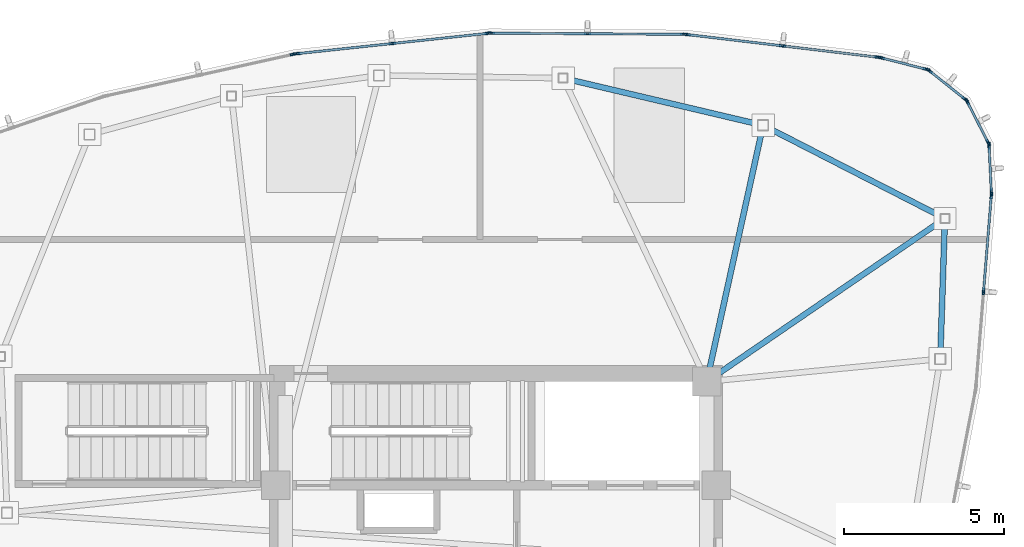
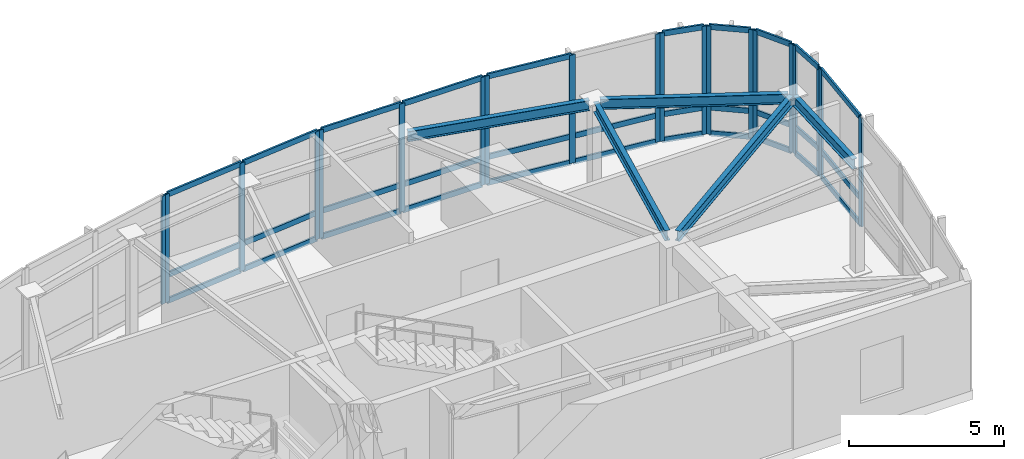
# One storey, part 7 of 15: 52 members, 5 beams, 9 elements without a shape of their own.
"""IFC4 building model written with IfcOpenShell, lengths in metres."""

from ifc_helpers import new_model, si_unit, direction, frame, origin, origin_2d, place, context, subcontext, project, spatial, hollow_rectangle, i_section, extrude, source, transform, mapped, material, layer, layer_set, material_profile, profile_set, type_object, type_shapes, element, aggregate, save


model = new_model("IFC4")

# Units and contexts
model_context = context("Model", 3, precision=1e-05, world=origin(), true_north=direction((0.0, 1.0)))
body_context = subcontext(model_context, "Body", "Model", "MODEL_VIEW")
ifc_project = project(units=[si_unit("LENGTHUNIT", "METRE"), si_unit("AREAUNIT", "SQUARE_METRE"), si_unit("VOLUMEUNIT", "CUBIC_METRE"), si_unit("PLANEANGLEUNIT", "RADIAN"), si_unit("MASSUNIT", "GRAM", prefix="KILO")], contexts=[model_context])

# Site, building, storey
site_placement = place(None, origin())
site = spatial("IfcSite", under=ifc_project, at=site_placement, CompositionType="ELEMENT")
building_placement = place(site_placement, origin())
building = spatial("IfcBuilding", under=site, at=building_placement, Name="Tavelor Broadcast Tower", CompositionType="ELEMENT")
storey_placement = place(building_placement, frame((0.0, 0.0, 341.300048828125)))
storey = spatial("IfcBuildingStorey", under=building, at=storey_placement, Name="L81", CompositionType="ELEMENT", Elevation=341.300048828125)

# Beams
ifc_material_1 = material(Name="Steel S355", Category="steel")
ifc_material_profile_1 = material_profile(ifc_material_1, i_section(OverallWidth=0.179931640625, OverallDepth=0.39990234375, WebThickness=0.008544921875, FlangeThickness=0.013427734375, at=origin_2d()), Name="IPE 400")
ifc_profile_set_1 = profile_set([ifc_material_profile_1], Name="Steel S355")
beam_type = type_object("IfcBeamType", Name="Crown Ring Spandrel Beam IPE400", PredefinedType="SPANDREL", material=ifc_profile_set_1)
beam_1_placement = place(storey_placement, frame((63.9169921875, 52.089111328125, 4.050048828125), z_axis=(0.033482656619, 0.99943929866, 0.0), x_axis=(-0.99943929866, 0.033482656619, 0.0)))
element("IfcBeam", 1, at=beam_1_placement, inside=storey, type_object=beam_type, Name="L81 Crown Peak A Ring Spandrel 5", PredefinedType="SPANDREL", context=body_context, shape_type="SweptSolid", body=[
    extrude(i_section(OverallWidth=0.179931640625, OverallDepth=0.39990234375, WebThickness=0.008544921875, FlangeThickness=0.013427734375, at=origin_2d()), origin(), (0.0, 0.0, 1.0), 4.068603515625),
])
beam_2_placement = place(storey_placement, frame((63.922119140625, 56.37841796875, 4.050048828125), z_axis=(-0.889973264193, 0.456012707083, 0.0), x_axis=(-0.456012707083, -0.889973264193, 0.0)))
element("IfcBeam", 2, at=beam_2_placement, inside=storey, type_object=beam_type, Name="L81 Crown Peak A Ring Spandrel 6", PredefinedType="SPANDREL", context=body_context, shape_type="SweptSolid", body=[
    extrude(i_section(OverallWidth=0.179931640625, OverallDepth=0.39990234375, WebThickness=0.008544921875, FlangeThickness=0.013427734375, at=origin_2d()), origin(), (0.0, 0.0, 1.0), 6.06689453125),
])
beam_3_placement = place(storey_placement, frame((56.956298828125, 51.444091796875, 4.050048828125), z_axis=(0.825037324604, 0.565078236185, 0.0), x_axis=(-0.565078236185, 0.825037324604, 0.0)))
element("IfcBeam", 3, at=beam_3_placement, inside=storey, type_object=beam_type, Name="L81 Crown Peak A Radial Beam 6", PredefinedType="SPANDREL", context=body_context, shape_type="SweptSolid", body=[
    extrude(i_section(OverallWidth=0.179931640625, OverallDepth=0.39990234375, WebThickness=0.008544921875, FlangeThickness=0.013427734375, at=origin_2d()), origin(), (0.0, 0.0, 1.0), 8.455078125),
])
beam_4_placement = place(storey_placement, frame((58.190185546875, 59.26708984375, 4.050048828125), z_axis=(-0.973331019838, 0.229405156485, 0.0), x_axis=(-0.229405156485, -0.973331019838, 0.0)))
element("IfcBeam", 4, at=beam_4_placement, inside=storey, type_object=beam_type, Name="L81 Crown Peak A Ring Spandrel 7", PredefinedType="SPANDREL", context=body_context, shape_type="SweptSolid", body=[
    extrude(i_section(OverallWidth=0.179931640625, OverallDepth=0.39990234375, WebThickness=0.008544921875, FlangeThickness=0.013427734375, at=origin_2d()), origin(), (0.0, 0.0, 1.0), 6.10009765625),
])
beam_5_placement = place(storey_placement, frame((56.692626953125, 51.621826171875, 4.050048828125), z_axis=(0.21466342247, 0.976688084832, 0.0), x_axis=(-0.976688084832, 0.21466342247, 0.0)))
element("IfcBeam", 5, at=beam_5_placement, inside=storey, type_object=beam_type, Name="L81 Crown Peak A Radial Beam 7", PredefinedType="SPANDREL", context=body_context, shape_type="SweptSolid", body=[
    extrude(i_section(OverallWidth=0.179931640625, OverallDepth=0.39990234375, WebThickness=0.008544921875, FlangeThickness=0.013427734375, at=origin_2d()), origin(), (0.0, 0.0, 1.0), 7.607421875),
])

# Curtain wall, members
ifc_material_2 = material(Name="Architectural Anodized Aluminium", Category="aluminium")
ifc_layer = layer(ifc_material_2, 0.2099609375)
ifc_layer_set = layer_set([ifc_layer], Name="Architectural Anodized Aluminium")
curtain_wall_type = type_object("IfcCurtainWallType", Name="Split-Crown Beacon Curtain Wall CW06", PredefinedType="NOTDEFINED", material=ifc_layer_set)
curtain_wall_1_placement = place(storey_placement, origin())
curtain_wall_1 = element("IfcCurtainWall", 6, at=curtain_wall_1_placement, inside=storey, type_object=curtain_wall_type, Name="L81 Curtain Wall CW06 Run 930", PredefinedType="NOTDEFINED")
ifc_material_profile_2 = material_profile(ifc_material_2, hollow_rectangle(XDim=0.072021484375, YDim=0.2099609375, WallThickness=0.02197265625, at=origin_2d()), Name="RHS 72x210x22")
ifc_profile_set_2 = profile_set([ifc_material_profile_2], Name="Architectural Anodized Aluminium")
member_type_1 = type_object("IfcMemberType", Name="CW06 Extruded Aluminium Mullion 72x210", PredefinedType="MULLION", material=ifc_profile_set_2)
shared_shape_1 = source(origin(), body_context, "Body", "SweptSolid", [
    extrude(hollow_rectangle(XDim=0.072021484375, YDim=0.2099609375, WallThickness=0.02197265625, at=origin_2d()), origin(), (0.0, 0.0, 1.0), 4.25),
])
type_shapes(member_type_1, [shared_shape_1])
member_1_placement = place(storey_placement, frame((65.267578125, 54.02197265625, 0.0), z_axis=(0.0, 0.0, 1.0), x_axis=(-0.996751462435, 0.080538947925, 0.0)))
member_1 = element("IfcMember", 7, at=member_1_placement, type_object=member_type_1, Name="CW06 mullion 2", PredefinedType="MULLION", context=body_context, shape_type="MappedRepresentation", body=[
    mapped(shared_shape_1, transform((0.0, 0.0, 0.0), scale=1.0)),
])
member_2_placement = place(storey_placement, frame((65.51025390625, 57.025634765625, 0.0), z_axis=(0.0, 0.0, 1.0), x_axis=(-0.996751462435, 0.080538947925, 0.0)))
member_2 = element("IfcMember", 8, at=member_2_placement, type_object=member_type_1, Name="CW06 mullion 3", PredefinedType="MULLION", context=body_context, shape_type="MappedRepresentation", body=[
    mapped(shared_shape_1, transform((0.0, 0.0, 0.0), scale=1.0)),
])

curtain_wall_2_placement = place(storey_placement, origin())
curtain_wall_2 = element("IfcCurtainWall", 9, at=curtain_wall_2_placement, inside=storey, type_object=curtain_wall_type, Name="L81 Curtain Wall CW06 Run 931", PredefinedType="NOTDEFINED")
member_3_placement = place(storey_placement, frame((65.511962890625, 57.12744140625, 0.0), z_axis=(0.0, 0.0, 1.0), x_axis=(-0.998764199667, -0.049699833639, 0.0)))
member_3 = element("IfcMember", 10, at=member_3_placement, type_object=member_type_1, Name="CW06 mullion 1", PredefinedType="MULLION", context=body_context, shape_type="MappedRepresentation", body=[
    mapped(shared_shape_1, transform((0.0, 0.0, 0.0), scale=1.0)),
])
member_4_placement = place(storey_placement, frame((65.439453125, 58.5849609375, 0.0), z_axis=(0.0, 0.0, 1.0), x_axis=(-0.998764199667, -0.049699833639, 0.0)))
member_4 = element("IfcMember", 11, at=member_4_placement, type_object=member_type_1, Name="CW06 mullion 2", PredefinedType="MULLION", context=body_context, shape_type="MappedRepresentation", body=[
    mapped(shared_shape_1, transform((0.0, 0.0, 0.0), scale=1.0)),
])

curtain_wall_3_placement = place(storey_placement, origin())
curtain_wall_3 = element("IfcCurtainWall", 12, at=curtain_wall_3_placement, inside=storey, type_object=curtain_wall_type, Name="L81 Curtain Wall CW06 Run 932", PredefinedType="NOTDEFINED")
member_5_placement = place(storey_placement, frame((65.41357421875, 58.68115234375, 0.0), z_axis=(0.0, 0.0, 1.0), x_axis=(-0.88978436822, -0.456381176289, 0.0)))
member_5 = element("IfcMember", 13, at=member_5_placement, type_object=member_type_1, Name="CW06 mullion 1", PredefinedType="MULLION", context=body_context, shape_type="MappedRepresentation", body=[
    mapped(shared_shape_1, transform((0.0, 0.0, 0.0), scale=1.0)),
])
member_6_placement = place(storey_placement, frame((64.75732421875, 59.960693359375, 0.0), z_axis=(0.0, 0.0, 1.0), x_axis=(-0.88978436822, -0.456381176289, 0.0)))
member_6 = element("IfcMember", 14, at=member_6_placement, type_object=member_type_1, Name="CW06 mullion 2", PredefinedType="MULLION", context=body_context, shape_type="MappedRepresentation", body=[
    mapped(shared_shape_1, transform((0.0, 0.0, 0.0), scale=1.0)),
])

curtain_wall_4_placement = place(storey_placement, origin())
curtain_wall_4 = element("IfcCurtainWall", 15, at=curtain_wall_4_placement, inside=storey, type_object=curtain_wall_type, Name="L81 Curtain Wall CW06 Run 933", PredefinedType="NOTDEFINED")
member_7_placement = place(storey_placement, frame((64.694091796875, 60.037841796875, 0.0), z_axis=(0.0, 0.0, 1.0), x_axis=(-0.623240407352, -0.782030302894, 0.0)))
member_7 = element("IfcMember", 16, at=member_7_placement, type_object=member_type_1, Name="CW06 mullion 1", PredefinedType="MULLION", context=body_context, shape_type="MappedRepresentation", body=[
    mapped(shared_shape_1, transform((0.0, 0.0, 0.0), scale=1.0)),
])
member_8_placement = place(storey_placement, frame((63.5693359375, 60.934326171875, 0.0), z_axis=(0.0, 0.0, 1.0), x_axis=(-0.623240407352, -0.782030302894, 0.0)))
member_8 = element("IfcMember", 17, at=member_8_placement, type_object=member_type_1, Name="CW06 mullion 2", PredefinedType="MULLION", context=body_context, shape_type="MappedRepresentation", body=[
    mapped(shared_shape_1, transform((0.0, 0.0, 0.0), scale=1.0)),
])

curtain_wall_5_placement = place(storey_placement, origin())
curtain_wall_5 = element("IfcCurtainWall", 18, at=curtain_wall_5_placement, inside=storey, type_object=curtain_wall_type, Name="L81 Curtain Wall CW06 Run 934", PredefinedType="NOTDEFINED")
member_9_placement = place(storey_placement, frame((63.480224609375, 60.978515625, 0.0), z_axis=(0.0, 0.0, 1.0), x_axis=(-0.246190848217, -0.96922137113, 0.0)))
member_9 = element("IfcMember", 19, at=member_9_placement, type_object=member_type_1, Name="CW06 mullion 1", PredefinedType="MULLION", context=body_context, shape_type="MappedRepresentation", body=[
    mapped(shared_shape_1, transform((0.0, 0.0, 0.0), scale=1.0)),
])
member_10_placement = place(storey_placement, frame((62.065673828125, 61.337890625, 0.0), z_axis=(0.0, 0.0, 1.0), x_axis=(-0.246190848217, -0.96922137113, 0.0)))
member_10 = element("IfcMember", 20, at=member_10_placement, type_object=member_type_1, Name="CW06 mullion 2", PredefinedType="MULLION", context=body_context, shape_type="MappedRepresentation", body=[
    mapped(shared_shape_1, transform((0.0, 0.0, 0.0), scale=1.0)),
])

curtain_wall_6_placement = place(storey_placement, origin())
curtain_wall_6 = element("IfcCurtainWall", 21, at=curtain_wall_6_placement, inside=storey, type_object=curtain_wall_type, Name="L81 Curtain Wall CW06 Run 935", PredefinedType="NOTDEFINED")
member_11_placement = place(storey_placement, frame((61.965576171875, 61.3564453125, 0.0), z_axis=(0.0, 0.0, 1.0), x_axis=(-0.118069309192, -0.993005356595, 0.0)))
member_11 = element("IfcMember", 22, at=member_11_placement, type_object=member_type_1, Name="CW06 mullion 1", PredefinedType="MULLION", context=body_context, shape_type="MappedRepresentation", body=[
    mapped(shared_shape_1, transform((0.0, 0.0, 0.0), scale=1.0)),
])
member_12_placement = place(storey_placement, frame((58.97314453125, 61.712158203125, 0.0), z_axis=(0.0, 0.0, 1.0), x_axis=(-0.118069309192, -0.993005356595, 0.0)))
member_12 = element("IfcMember", 23, at=member_12_placement, type_object=member_type_1, Name="CW06 mullion 2", PredefinedType="MULLION", context=body_context, shape_type="MappedRepresentation", body=[
    mapped(shared_shape_1, transform((0.0, 0.0, 0.0), scale=1.0)),
])
member_13_placement = place(storey_placement, frame((55.98095703125, 62.06787109375, 0.0), z_axis=(0.0, 0.0, 1.0), x_axis=(-0.118069309192, -0.993005356595, 0.0)))
member_13 = element("IfcMember", 24, at=member_13_placement, type_object=member_type_1, Name="CW06 mullion 3", PredefinedType="MULLION", context=body_context, shape_type="MappedRepresentation", body=[
    mapped(shared_shape_1, transform((0.0, 0.0, 0.0), scale=1.0)),
])

curtain_wall_7_placement = place(storey_placement, origin())
curtain_wall_7 = element("IfcCurtainWall", 25, at=curtain_wall_7_placement, inside=storey, type_object=curtain_wall_type, Name="L81 Curtain Wall CW06 Run 936", PredefinedType="NOTDEFINED")
member_14_placement = place(storey_placement, frame((55.879150390625, 62.07421875, 0.0), z_axis=(0.0, 0.0, 1.0), x_axis=(-0.00608175504, -0.999981505957, 0.0)))
member_14 = element("IfcMember", 26, at=member_14_placement, type_object=member_type_1, Name="CW06 mullion 1", PredefinedType="MULLION", context=body_context, shape_type="MappedRepresentation", body=[
    mapped(shared_shape_1, transform((0.0, 0.0, 0.0), scale=1.0)),
])
member_15_placement = place(storey_placement, frame((52.865234375, 62.092529296875, 0.0), z_axis=(0.0, 0.0, 1.0), x_axis=(-0.00608175504, -0.999981505957, 0.0)))
member_15 = element("IfcMember", 27, at=member_15_placement, type_object=member_type_1, Name="CW06 mullion 2", PredefinedType="MULLION", context=body_context, shape_type="MappedRepresentation", body=[
    mapped(shared_shape_1, transform((0.0, 0.0, 0.0), scale=1.0)),
])
member_16_placement = place(storey_placement, frame((49.85107421875, 62.11083984375, 0.0), z_axis=(0.0, 0.0, 1.0), x_axis=(-0.00608175504, -0.999981505957, 0.0)))
member_16 = element("IfcMember", 28, at=member_16_placement, type_object=member_type_1, Name="CW06 mullion 3", PredefinedType="MULLION", context=body_context, shape_type="MappedRepresentation", body=[
    mapped(shared_shape_1, transform((0.0, 0.0, 0.0), scale=1.0)),
])

curtain_wall_8_placement = place(storey_placement, origin())
curtain_wall_8 = element("IfcCurtainWall", 29, at=curtain_wall_8_placement, inside=storey, type_object=curtain_wall_type, Name="L81 Curtain Wall CW06 Run 937", PredefinedType="NOTDEFINED")
member_17_placement = place(storey_placement, frame((49.74951171875, 62.105712890625, 0.0), z_axis=(0.0, 0.0, 1.0), x_axis=(0.105995393437, -0.994366620805, 0.0)))
member_17 = element("IfcMember", 30, at=member_17_placement, type_object=member_type_1, Name="CW06 mullion 1", PredefinedType="MULLION", context=body_context, shape_type="MappedRepresentation", body=[
    mapped(shared_shape_1, transform((0.0, 0.0, 0.0), scale=1.0)),
])
member_18_placement = place(storey_placement, frame((46.752197265625, 61.786376953125, 0.0), z_axis=(0.0, 0.0, 1.0), x_axis=(0.105995393437, -0.994366620805, 0.0)))
member_18 = element("IfcMember", 31, at=member_18_placement, type_object=member_type_1, Name="CW06 mullion 2", PredefinedType="MULLION", context=body_context, shape_type="MappedRepresentation", body=[
    mapped(shared_shape_1, transform((0.0, 0.0, 0.0), scale=1.0)),
])
member_19_placement = place(storey_placement, frame((43.755126953125, 61.466796875, 0.0), z_axis=(0.0, 0.0, 1.0), x_axis=(0.105995393437, -0.994366620805, 0.0)))
member_19 = element("IfcMember", 32, at=member_19_placement, type_object=member_type_1, Name="CW06 mullion 3", PredefinedType="MULLION", context=body_context, shape_type="MappedRepresentation", body=[
    mapped(shared_shape_1, transform((0.0, 0.0, 0.0), scale=1.0)),
])

# Curtain wall, member
curtain_wall_9_placement = place(storey_placement, origin())
curtain_wall_9 = element("IfcCurtainWall", 33, at=curtain_wall_9_placement, inside=storey, type_object=curtain_wall_type, Name="L81 Curtain Wall CW06 Run 938", PredefinedType="NOTDEFINED")
member_20_placement = place(storey_placement, frame((43.654541015625, 61.450439453125, 0.0), z_axis=(0.0, 0.0, 1.0), x_axis=(0.216711754214, -0.976235635278, 0.0)))
member_20 = element("IfcMember", 34, at=member_20_placement, type_object=member_type_1, Name="CW06 mullion 1", PredefinedType="MULLION", context=body_context, shape_type="MappedRepresentation", body=[
    mapped(shared_shape_1, transform((0.0, 0.0, 0.0), scale=1.0)),
])
aggregate(curtain_wall_9, [member_20])

# Member
ifc_material_profile_3 = material_profile(ifc_material_2, hollow_rectangle(XDim=0.072021484375, YDim=0.2099609375, WallThickness=0.02197265625, at=origin_2d()), Name="RHS 72x210x22")
ifc_profile_set_3 = profile_set([ifc_material_profile_3], Name="Architectural Anodized Aluminium")
member_type_2 = type_object("IfcMemberType", Name="CW06 Extruded Aluminium Transom 72x210", PredefinedType="USERDEFINED", material=ifc_profile_set_3)
shared_shape_2 = source(origin(), body_context, "Body", "SweptSolid", [
    extrude(hollow_rectangle(XDim=0.072021484375, YDim=0.2099609375, WallThickness=0.02197265625, at=origin_2d()), origin(), (0.0, 0.0, 1.0), 1.38720703125),
])
member_21_placement = place(storey_placement, frame((65.510009765625, 57.163330078125, 0.035888671875), z_axis=(-0.049630392611, 0.998767652725, 0.0), x_axis=(-0.998767652725, -0.049630392611, 0.0)))
member_21 = element("IfcMember", 35, at=member_21_placement, type_object=member_type_2, Name="CW06 transom 1.1", ObjectType="TRANSOM", PredefinedType="USERDEFINED", context=body_context, shape_type="MappedRepresentation", body=[
    mapped(shared_shape_2, transform((0.0, 0.0, 0.0), scale=1.0)),
])

member_22_placement = place(storey_placement, frame((65.510009765625, 57.163330078125, 1.050048828125), z_axis=(-0.049630392611, 0.998767652725, 0.0), x_axis=(-0.998767652725, -0.049630392611, 0.0)))
member_22 = element("IfcMember", 36, at=member_22_placement, type_object=member_type_2, Name="CW06 transom 1.2", ObjectType="TRANSOM", PredefinedType="USERDEFINED", context=body_context, shape_type="MappedRepresentation", body=[
    mapped(shared_shape_2, transform((0.0, 0.0, 0.0), scale=1.0)),
])

member_23_placement = place(storey_placement, frame((65.510009765625, 57.163330078125, 4.2138671875), z_axis=(-0.049630392611, 0.998767652725, 0.0), x_axis=(-0.998767652725, -0.049630392611, 0.0)))
member_23 = element("IfcMember", 37, at=member_23_placement, type_object=member_type_2, Name="CW06 transom 1.3", ObjectType="TRANSOM", PredefinedType="USERDEFINED", context=body_context, shape_type="MappedRepresentation", body=[
    mapped(shared_shape_2, transform((0.0, 0.0, 0.0), scale=1.0)),
])

aggregate(curtain_wall_2, [member_3, member_4, member_21, member_22, member_23])

shared_shape_3 = source(origin(), body_context, "Body", "SweptSolid", [
    extrude(hollow_rectangle(XDim=0.072021484375, YDim=0.2099609375, WallThickness=0.02197265625, at=origin_2d()), origin(), (0.0, 0.0, 1.0), 1.3662109375),
])
member_24_placement = place(storey_placement, frame((65.397216796875, 58.713134765625, 0.035888671875), z_axis=(-0.456410974151, 0.889769083906, 0.0), x_axis=(-0.889769083906, -0.456410974151, 0.0)))
member_24 = element("IfcMember", 38, at=member_24_placement, type_object=member_type_2, Name="CW06 transom 1.1", ObjectType="TRANSOM", PredefinedType="USERDEFINED", context=body_context, shape_type="MappedRepresentation", body=[
    mapped(shared_shape_3, transform((0.0, 0.0, 0.0), scale=1.0)),
])

member_25_placement = place(storey_placement, frame((65.397216796875, 58.713134765625, 1.050048828125), z_axis=(-0.456410974151, 0.889769083906, 0.0), x_axis=(-0.889769083906, -0.456410974151, 0.0)))
member_25 = element("IfcMember", 39, at=member_25_placement, type_object=member_type_2, Name="CW06 transom 1.2", ObjectType="TRANSOM", PredefinedType="USERDEFINED", context=body_context, shape_type="MappedRepresentation", body=[
    mapped(shared_shape_3, transform((0.0, 0.0, 0.0), scale=1.0)),
])

member_26_placement = place(storey_placement, frame((65.397216796875, 58.713134765625, 4.2138671875), z_axis=(-0.456410974151, 0.889769083906, 0.0), x_axis=(-0.889769083906, -0.456410974151, 0.0)))
member_26 = element("IfcMember", 40, at=member_26_placement, type_object=member_type_2, Name="CW06 transom 1.3", ObjectType="TRANSOM", PredefinedType="USERDEFINED", context=body_context, shape_type="MappedRepresentation", body=[
    mapped(shared_shape_3, transform((0.0, 0.0, 0.0), scale=1.0)),
])

aggregate(curtain_wall_3, [member_5, member_6, member_24, member_25, member_26])

member_27_placement = place(storey_placement, frame((64.666015625, 60.060302734375, 0.035888671875), z_axis=(-0.78198333803, 0.623299333421, 0.0), x_axis=(-0.623299333421, -0.78198333803, 0.0)))
member_27 = element("IfcMember", 41, at=member_27_placement, type_object=member_type_2, Name="CW06 transom 1.1", ObjectType="TRANSOM", PredefinedType="USERDEFINED", context=body_context, shape_type="MappedRepresentation", body=[
    mapped(shared_shape_3, transform((0.0, 0.0, 0.0), scale=1.0)),
])

member_28_placement = place(storey_placement, frame((64.666015625, 60.060302734375, 1.050048828125), z_axis=(-0.78198333803, 0.623299333421, 0.0), x_axis=(-0.623299333421, -0.78198333803, 0.0)))
member_28 = element("IfcMember", 42, at=member_28_placement, type_object=member_type_2, Name="CW06 transom 1.2", ObjectType="TRANSOM", PredefinedType="USERDEFINED", context=body_context, shape_type="MappedRepresentation", body=[
    mapped(shared_shape_3, transform((0.0, 0.0, 0.0), scale=1.0)),
])

member_29_placement = place(storey_placement, frame((64.666015625, 60.060302734375, 4.2138671875), z_axis=(-0.78198333803, 0.623299333421, 0.0), x_axis=(-0.623299333421, -0.78198333803, 0.0)))
member_29 = element("IfcMember", 43, at=member_29_placement, type_object=member_type_2, Name="CW06 transom 1.3", ObjectType="TRANSOM", PredefinedType="USERDEFINED", context=body_context, shape_type="MappedRepresentation", body=[
    mapped(shared_shape_3, transform((0.0, 0.0, 0.0), scale=1.0)),
])

aggregate(curtain_wall_4, [member_7, member_8, member_27, member_28, member_29])

shared_shape_4 = source(origin(), body_context, "Body", "SweptSolid", [
    extrude(hollow_rectangle(XDim=0.072021484375, YDim=0.2099609375, WallThickness=0.02197265625, at=origin_2d()), origin(), (0.0, 0.0, 1.0), 2.94140625),
])
member_30_placement = place(storey_placement, frame((65.2705078125, 54.057861328125, 0.035888671875), z_axis=(0.080510545778, 0.996753756962, 0.0), x_axis=(-0.996753756962, 0.080510545778, 0.0)))
member_30 = element("IfcMember", 44, at=member_30_placement, type_object=member_type_2, Name="CW06 transom 2.1", ObjectType="TRANSOM", PredefinedType="USERDEFINED", context=body_context, shape_type="MappedRepresentation", body=[
    mapped(shared_shape_4, transform((0.0, 0.0, 0.0), scale=1.0)),
])

member_31_placement = place(storey_placement, frame((65.2705078125, 54.057861328125, 1.050048828125), z_axis=(0.080510545778, 0.996753756962, 0.0), x_axis=(-0.996753756962, 0.080510545778, 0.0)))
member_31 = element("IfcMember", 45, at=member_31_placement, type_object=member_type_2, Name="CW06 transom 2.2", ObjectType="TRANSOM", PredefinedType="USERDEFINED", context=body_context, shape_type="MappedRepresentation", body=[
    mapped(shared_shape_4, transform((0.0, 0.0, 0.0), scale=1.0)),
])

member_32_placement = place(storey_placement, frame((65.2705078125, 54.057861328125, 4.2138671875), z_axis=(0.080510545778, 0.996753756962, 0.0), x_axis=(-0.996753756962, 0.080510545778, 0.0)))
member_32 = element("IfcMember", 46, at=member_32_placement, type_object=member_type_2, Name="CW06 transom 2.3", ObjectType="TRANSOM", PredefinedType="USERDEFINED", context=body_context, shape_type="MappedRepresentation", body=[
    mapped(shared_shape_4, transform((0.0, 0.0, 0.0), scale=1.0)),
])

aggregate(curtain_wall_1, [member_1, member_2, member_30, member_31, member_32])

member_33_placement = place(storey_placement, frame((61.929931640625, 61.360595703125, 0.035888671875), z_axis=(-0.99300079503, 0.118107667279, 0.0), x_axis=(-0.118107667279, -0.99300079503, 0.0)))
member_33 = element("IfcMember", 47, at=member_33_placement, type_object=member_type_2, Name="CW06 transom 1.1", ObjectType="TRANSOM", PredefinedType="USERDEFINED", context=body_context, shape_type="MappedRepresentation", body=[
    mapped(shared_shape_4, transform((0.0, 0.0, 0.0), scale=1.0)),
])

member_34_placement = place(storey_placement, frame((61.929931640625, 61.360595703125, 1.050048828125), z_axis=(-0.99300079503, 0.118107667279, 0.0), x_axis=(-0.118107667279, -0.99300079503, 0.0)))
member_34 = element("IfcMember", 48, at=member_34_placement, type_object=member_type_2, Name="CW06 transom 1.2", ObjectType="TRANSOM", PredefinedType="USERDEFINED", context=body_context, shape_type="MappedRepresentation", body=[
    mapped(shared_shape_4, transform((0.0, 0.0, 0.0), scale=1.0)),
])

member_35_placement = place(storey_placement, frame((58.9375, 61.71630859375, 0.035888671875), z_axis=(-0.99300079503, 0.118107667279, 0.0), x_axis=(-0.118107667279, -0.99300079503, 0.0)))
member_35 = element("IfcMember", 49, at=member_35_placement, type_object=member_type_2, Name="CW06 transom 2.1", ObjectType="TRANSOM", PredefinedType="USERDEFINED", context=body_context, shape_type="MappedRepresentation", body=[
    mapped(shared_shape_4, transform((0.0, 0.0, 0.0), scale=1.0)),
])

member_36_placement = place(storey_placement, frame((58.9375, 61.71630859375, 1.050048828125), z_axis=(-0.99300079503, 0.118107667279, 0.0), x_axis=(-0.118107667279, -0.99300079503, 0.0)))
member_36 = element("IfcMember", 50, at=member_36_placement, type_object=member_type_2, Name="CW06 transom 2.2", ObjectType="TRANSOM", PredefinedType="USERDEFINED", context=body_context, shape_type="MappedRepresentation", body=[
    mapped(shared_shape_4, transform((0.0, 0.0, 0.0), scale=1.0)),
])

member_37_placement = place(storey_placement, frame((58.9375, 61.71630859375, 4.2138671875), z_axis=(-0.99300079503, 0.118107667279, 0.0), x_axis=(-0.118107667279, -0.99300079503, 0.0)))
member_37 = element("IfcMember", 51, at=member_37_placement, type_object=member_type_2, Name="CW06 transom 2.3", ObjectType="TRANSOM", PredefinedType="USERDEFINED", context=body_context, shape_type="MappedRepresentation", body=[
    mapped(shared_shape_4, transform((0.0, 0.0, 0.0), scale=1.0)),
])

aggregate(curtain_wall_6, [member_11, member_12, member_13, member_33, member_34, member_35, member_36, member_37])

shared_shape_5 = source(origin(), body_context, "Body", "SweptSolid", [
    extrude(hollow_rectangle(XDim=0.072021484375, YDim=0.2099609375, WallThickness=0.02197265625, at=origin_2d()), origin(), (0.0, 0.0, 1.0), 2.94189453125),
])
member_38_placement = place(storey_placement, frame((52.8291015625, 62.0927734375, 0.035888671875), z_axis=(-0.99998165027, 0.006057980122, 0.0), x_axis=(-0.006057980122, -0.99998165027, 0.0)))
member_38 = element("IfcMember", 52, at=member_38_placement, type_object=member_type_2, Name="CW06 transom 2.1", ObjectType="TRANSOM", PredefinedType="USERDEFINED", context=body_context, shape_type="MappedRepresentation", body=[
    mapped(shared_shape_5, transform((0.0, 0.0, 0.0), scale=1.0)),
])

member_39_placement = place(storey_placement, frame((52.8291015625, 62.0927734375, 1.050048828125), z_axis=(-0.99998165027, 0.006057980122, 0.0), x_axis=(-0.006057980122, -0.99998165027, 0.0)))
member_39 = element("IfcMember", 53, at=member_39_placement, type_object=member_type_2, Name="CW06 transom 2.2", ObjectType="TRANSOM", PredefinedType="USERDEFINED", context=body_context, shape_type="MappedRepresentation", body=[
    mapped(shared_shape_5, transform((0.0, 0.0, 0.0), scale=1.0)),
])

member_40_placement = place(storey_placement, frame((52.8291015625, 62.0927734375, 4.2138671875), z_axis=(-0.99998165027, 0.006057980122, 0.0), x_axis=(-0.006057980122, -0.99998165027, 0.0)))
member_40 = element("IfcMember", 54, at=member_40_placement, type_object=member_type_2, Name="CW06 transom 2.3", ObjectType="TRANSOM", PredefinedType="USERDEFINED", context=body_context, shape_type="MappedRepresentation", body=[
    mapped(shared_shape_5, transform((0.0, 0.0, 0.0), scale=1.0)),
])

shared_shape_6 = source(origin(), body_context, "Body", "SweptSolid", [
    extrude(hollow_rectangle(XDim=0.072021484375, YDim=0.2099609375, WallThickness=0.02197265625, at=origin_2d()), origin(), (0.0, 0.0, 1.0), 2.942138671875),
])
member_41_placement = place(storey_placement, frame((55.84326171875, 62.074462890625, 0.035888671875), z_axis=(-0.999981653315, 0.006057477445, 0.0), x_axis=(-0.006057477445, -0.999981653315, 0.0)))
member_41 = element("IfcMember", 55, at=member_41_placement, type_object=member_type_2, Name="CW06 transom 1.1", ObjectType="TRANSOM", PredefinedType="USERDEFINED", context=body_context, shape_type="MappedRepresentation", body=[
    mapped(shared_shape_6, transform((0.0, 0.0, 0.0), scale=1.0)),
])

member_42_placement = place(storey_placement, frame((55.84326171875, 62.074462890625, 1.050048828125), z_axis=(-0.999981653315, 0.006057477445, 0.0), x_axis=(-0.006057477445, -0.999981653315, 0.0)))
member_42 = element("IfcMember", 56, at=member_42_placement, type_object=member_type_2, Name="CW06 transom 1.2", ObjectType="TRANSOM", PredefinedType="USERDEFINED", context=body_context, shape_type="MappedRepresentation", body=[
    mapped(shared_shape_6, transform((0.0, 0.0, 0.0), scale=1.0)),
])

member_43_placement = place(storey_placement, frame((55.84326171875, 62.074462890625, 4.2138671875), z_axis=(-0.999981653315, 0.006057477445, 0.0), x_axis=(-0.006057477445, -0.999981653315, 0.0)))
member_43 = element("IfcMember", 57, at=member_43_placement, type_object=member_type_2, Name="CW06 transom 1.3", ObjectType="TRANSOM", PredefinedType="USERDEFINED", context=body_context, shape_type="MappedRepresentation", body=[
    mapped(shared_shape_6, transform((0.0, 0.0, 0.0), scale=1.0)),
])

aggregate(curtain_wall_7, [member_14, member_15, member_16, member_41, member_42, member_43, member_38, member_39, member_40])

member_44_placement = place(storey_placement, frame((49.713623046875, 62.10205078125, 0.035888671875), z_axis=(-0.99436083409, -0.106049665857, 0.0), x_axis=(0.106049665857, -0.99436083409, 0.0)))
member_44 = element("IfcMember", 58, at=member_44_placement, type_object=member_type_2, Name="CW06 transom 1.1", ObjectType="TRANSOM", PredefinedType="USERDEFINED", context=body_context, shape_type="MappedRepresentation", body=[
    mapped(shared_shape_6, transform((0.0, 0.0, 0.0), scale=1.0)),
])

member_45_placement = place(storey_placement, frame((49.713623046875, 62.10205078125, 1.050048828125), z_axis=(-0.99436083409, -0.106049665857, 0.0), x_axis=(0.106049665857, -0.99436083409, 0.0)))
member_45 = element("IfcMember", 59, at=member_45_placement, type_object=member_type_2, Name="CW06 transom 1.2", ObjectType="TRANSOM", PredefinedType="USERDEFINED", context=body_context, shape_type="MappedRepresentation", body=[
    mapped(shared_shape_6, transform((0.0, 0.0, 0.0), scale=1.0)),
])

member_46_placement = place(storey_placement, frame((49.713623046875, 62.10205078125, 4.2138671875), z_axis=(-0.99436083409, -0.106049665857, 0.0), x_axis=(0.106049665857, -0.99436083409, 0.0)))
member_46 = element("IfcMember", 60, at=member_46_placement, type_object=member_type_2, Name="CW06 transom 1.3", ObjectType="TRANSOM", PredefinedType="USERDEFINED", context=body_context, shape_type="MappedRepresentation", body=[
    mapped(shared_shape_6, transform((0.0, 0.0, 0.0), scale=1.0)),
])

member_47_placement = place(storey_placement, frame((46.716552734375, 61.782470703125, 0.035888671875), z_axis=(-0.994369581259, -0.105967617063, 0.0), x_axis=(0.105967617063, -0.994369581259, 0.0)))
member_47 = element("IfcMember", 61, at=member_47_placement, type_object=member_type_2, Name="CW06 transom 2.1", ObjectType="TRANSOM", PredefinedType="USERDEFINED", context=body_context, shape_type="MappedRepresentation", body=[
    mapped(shared_shape_6, transform((0.0, 0.0, 0.0), scale=1.0)),
])

member_48_placement = place(storey_placement, frame((46.716552734375, 61.782470703125, 1.050048828125), z_axis=(-0.994369581259, -0.105967617063, 0.0), x_axis=(0.105967617063, -0.994369581259, 0.0)))
member_48 = element("IfcMember", 62, at=member_48_placement, type_object=member_type_2, Name="CW06 transom 2.2", ObjectType="TRANSOM", PredefinedType="USERDEFINED", context=body_context, shape_type="MappedRepresentation", body=[
    mapped(shared_shape_6, transform((0.0, 0.0, 0.0), scale=1.0)),
])

member_49_placement = place(storey_placement, frame((46.716552734375, 61.782470703125, 4.2138671875), z_axis=(-0.994369581259, -0.105967617063, 0.0), x_axis=(0.105967617063, -0.994369581259, 0.0)))
member_49 = element("IfcMember", 63, at=member_49_placement, type_object=member_type_2, Name="CW06 transom 2.3", ObjectType="TRANSOM", PredefinedType="USERDEFINED", context=body_context, shape_type="MappedRepresentation", body=[
    mapped(shared_shape_6, transform((0.0, 0.0, 0.0), scale=1.0)),
])

aggregate(curtain_wall_8, [member_17, member_18, member_19, member_44, member_45, member_46, member_47, member_48, member_49])

shared_shape_7 = source(origin(), body_context, "Body", "SweptSolid", [
    extrude(hollow_rectangle(XDim=0.072021484375, YDim=0.2099609375, WallThickness=0.02197265625, at=origin_2d()), origin(), (0.0, 0.0, 1.0), 1.387451171875),
])
type_shapes(member_type_2, [shared_shape_2, shared_shape_3, shared_shape_4, shared_shape_5, shared_shape_6, shared_shape_7])
member_50_placement = place(storey_placement, frame((63.4453125, 60.9873046875, 0.035888671875), z_axis=(-0.969224771497, 0.246177461025, 0.0), x_axis=(-0.246177461025, -0.969224771497, 0.0)))
member_50 = element("IfcMember", 64, at=member_50_placement, type_object=member_type_2, Name="CW06 transom 1.1", ObjectType="TRANSOM", PredefinedType="USERDEFINED", context=body_context, shape_type="MappedRepresentation", body=[
    mapped(shared_shape_7, transform((0.0, 0.0, 0.0), scale=1.0)),
])

member_51_placement = place(storey_placement, frame((63.4453125, 60.9873046875, 1.050048828125), z_axis=(-0.969224771497, 0.246177461025, 0.0), x_axis=(-0.246177461025, -0.969224771497, 0.0)))
member_51 = element("IfcMember", 65, at=member_51_placement, type_object=member_type_2, Name="CW06 transom 1.2", ObjectType="TRANSOM", PredefinedType="USERDEFINED", context=body_context, shape_type="MappedRepresentation", body=[
    mapped(shared_shape_7, transform((0.0, 0.0, 0.0), scale=1.0)),
])

member_52_placement = place(storey_placement, frame((63.4453125, 60.9873046875, 4.2138671875), z_axis=(-0.969224771497, 0.246177461025, 0.0), x_axis=(-0.246177461025, -0.969224771497, 0.0)))
member_52 = element("IfcMember", 66, at=member_52_placement, type_object=member_type_2, Name="CW06 transom 1.3", ObjectType="TRANSOM", PredefinedType="USERDEFINED", context=body_context, shape_type="MappedRepresentation", body=[
    mapped(shared_shape_7, transform((0.0, 0.0, 0.0), scale=1.0)),
])

aggregate(curtain_wall_5, [member_9, member_10, member_50, member_51, member_52])

save(model, "model.ifc")
